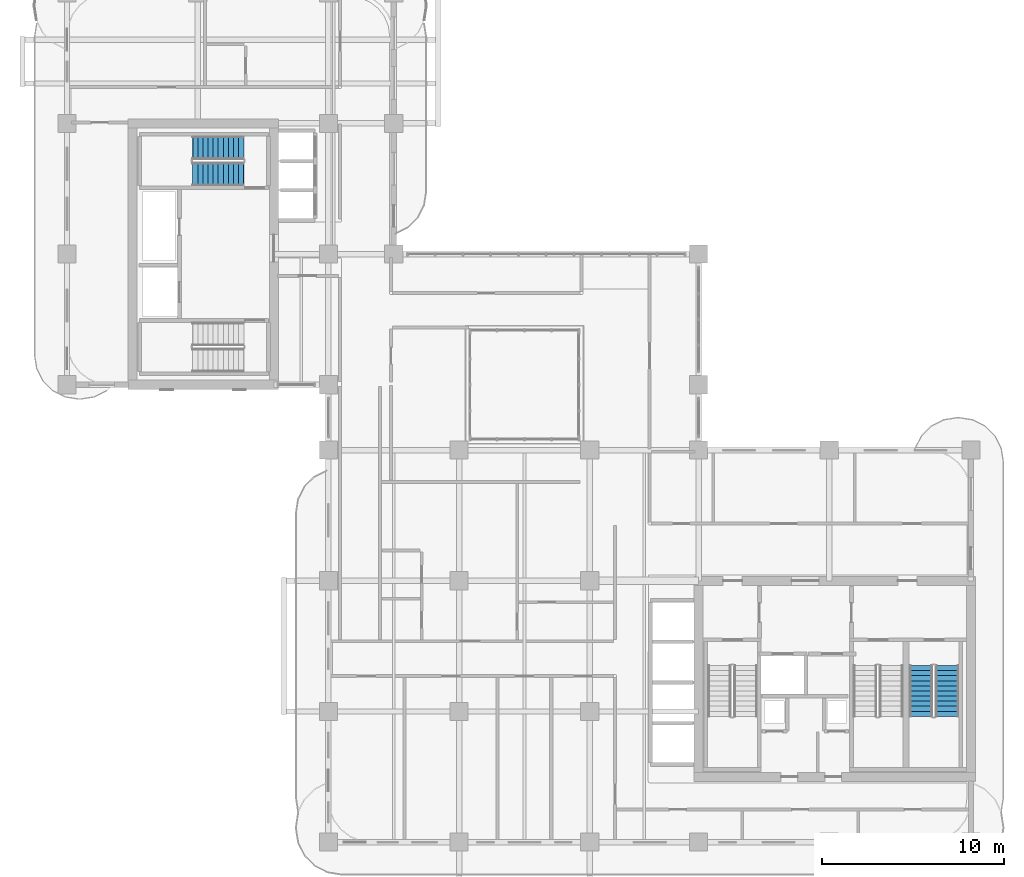
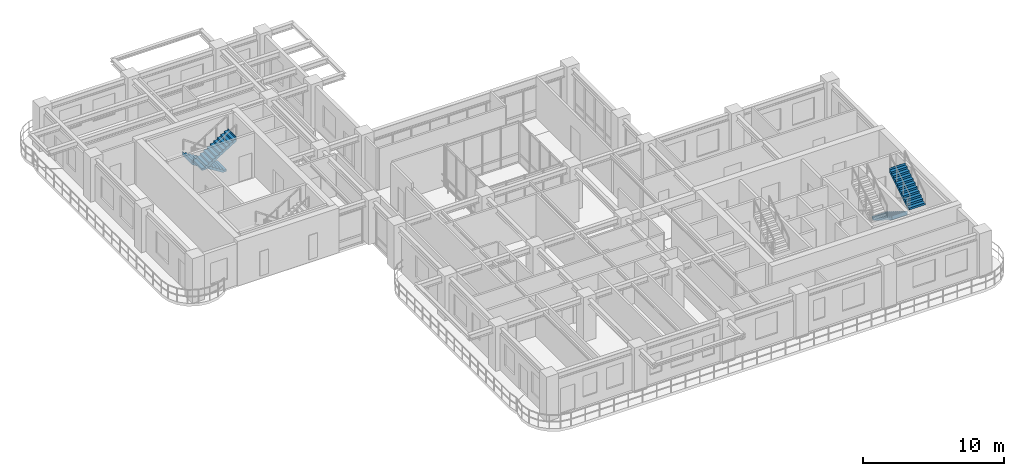
# One storey, part 16 of 21: 4 stair flights, 2 elements without a shape of their own.
"""IFC4 building model written with IfcOpenShell, lengths in metres."""

from ifc_helpers import new_model, si_unit, derived_unit, direction, frame, origin, place, context, subcontext, project, spatial, polyline, outline, extrude, source, transform, mapped, material, layer, layer_set, type_object, element, aggregate, save


model = new_model("IFC4")

# Units and contexts
model_context = context("Model", 3, precision=1e-05, world=origin(), true_north=direction((0.0, 1.0)))
body_context = subcontext(model_context, "Body", "Model", "MODEL_VIEW")
ifc_project = project(units=[si_unit("LENGTHUNIT", "METRE"), si_unit("AREAUNIT", "SQUARE_METRE"), si_unit("VOLUMEUNIT", "CUBIC_METRE"), si_unit("PLANEANGLEUNIT", "RADIAN"), si_unit("MASSUNIT", "GRAM", prefix="KILO"), si_unit("THERMODYNAMICTEMPERATUREUNIT", "KELVIN"), si_unit("POWERUNIT", "WATT"), derived_unit("THERMALTRANSMITTANCEUNIT", [(si_unit("POWERUNIT", "WATT"), 1), (si_unit("AREAUNIT", "SQUARE_METRE"), -1), (si_unit("THERMODYNAMICTEMPERATUREUNIT", "KELVIN"), -1)])], contexts=[model_context])

# Site, building, storey
site_placement = place(None, origin())
site = spatial("IfcSite", under=ifc_project, at=site_placement, CompositionType="ELEMENT")
building_placement = place(site_placement, origin())
building = spatial("IfcBuilding", under=site, at=building_placement, Name="Zahravan Archway Hotel and Residences", CompositionType="ELEMENT")
storey_placement = place(building_placement, frame((0.0, 0.0, 165.699951171875)))
storey = spatial("IfcBuildingStorey", under=building, at=storey_placement, Name="L41", CompositionType="ELEMENT", Elevation=165.699951171875)

# Stair, stair flights
ifc_material = material(Name="Concrete C50/60", Category="concrete")
stair_type = type_object("IfcStairType", Name="STR-CORE-1300", PredefinedType="HALF_TURN_STAIR", material=ifc_material)
stair_1_placement = place(storey_placement, origin())
stair_1 = element("IfcStair", 1, at=stair_1_placement, inside=storey, type_object=stair_type, Name="L41 Core A Exit Stair 3", PredefinedType="HALF_TURN_STAIR")
ifc_layer = layer(ifc_material, 0.199951171875, Name="Concrete C50/60", Category="concrete")
ifc_layer_set = layer_set([ifc_layer], Name="Concrete C50/60")
stair_flight_type = type_object("IfcStairFlightType", Name="SFL-CORE-1300", PredefinedType="STRAIGHT", material=ifc_layer_set)
shared_shape = source(origin(), body_context, "Body", "SweptSolid", [
    extrude(outline(polyline([(-0.01611328125, 0.0), (-0.01611328125, 0.175048828125), (0.280029296875, 0.175048828125), (0.280029296875, 0.35009765625), (0.56005859375, 0.35009765625), (0.56005859375, 0.52490234375), (0.840087890625, 0.52490234375), (0.840087890625, 0.699951171875), (1.1201171875, 0.699951171875), (1.1201171875, 0.875), (1.39990234375, 0.875), (1.39990234375, 1.050048828125), (1.679931640625, 1.050048828125), (1.679931640625, 1.22509765625), (1.9599609375, 1.22509765625), (1.9599609375, 1.39990234375), (2.239990234375, 1.39990234375), (2.239990234375, 1.574951171875), (2.52001953125, 1.574951171875), (2.52001953125, 1.75), (2.800048828125, 1.75), (2.800048828125, 1.925048828125), (2.816162109375, 1.925048828125), (2.816162109375, 1.5732421875), (0.28271484375, 0.0), (-0.01611328125, 0.0)])), frame((0.0, 0.64990234375, 0.0), z_axis=(0.0, -1.0, 0.0), x_axis=(1.0, 0.0, 0.0)), (0.0, 0.0, 1.0), 1.300048828125),
])
stair_flight_1_placement = place(storey_placement, frame((47.050048828125, 9.72998046875, 0.0), z_axis=(0.0, 0.0, 1.0), x_axis=(0.0, -1.0, 0.0)))
stair_flight_1 = element("IfcStairFlight", 2, at=stair_flight_1_placement, type_object=stair_flight_type, Name="ST-A3 flight 1", NumberOfRisers=11, NumberOfTreads=10, PredefinedType="STRAIGHT", RiserHeight=0.175, TreadLength=0.28, context=body_context, shape_type="MappedRepresentation", body=[
    mapped(shared_shape, transform((0.0, 0.0, 0.0), scale=1.0)),
])
stair_flight_2_placement = place(storey_placement, frame((48.489990234375, 6.929931640625, 1.925048828125), z_axis=(0.0, 0.0, 1.0), x_axis=(0.0, 1.0, 0.0)))
stair_flight_2 = element("IfcStairFlight", 3, at=stair_flight_2_placement, type_object=stair_flight_type, Name="ST-A3 flight 2", NumberOfRisers=11, NumberOfTreads=10, PredefinedType="STRAIGHT", RiserHeight=0.175, TreadLength=0.28, context=body_context, shape_type="MappedRepresentation", body=[
    mapped(shared_shape, transform((0.0, 0.0, 0.0), scale=1.0)),
])
aggregate(stair_1, [stair_flight_1, stair_flight_2])

stair_2_placement = place(storey_placement, origin())
stair_2 = element("IfcStair", 4, at=stair_2_placement, inside=storey, type_object=stair_type, Name="L41 Core B Exit Stair 2", PredefinedType="HALF_TURN_STAIR")
stair_flight_3_placement = place(storey_placement, frame((9.72998046875, 38.25, 0.0), z_axis=(0.0, 0.0, 1.0), x_axis=(-1.0, 0.0, 0.0)))
stair_flight_3 = element("IfcStairFlight", 5, at=stair_flight_3_placement, type_object=stair_flight_type, Name="ST-B2 flight 1", NumberOfRisers=11, NumberOfTreads=10, PredefinedType="STRAIGHT", RiserHeight=0.175, TreadLength=0.28, context=body_context, shape_type="MappedRepresentation", body=[
    mapped(shared_shape, transform((0.0, 0.0, 0.0), scale=1.0)),
])
stair_flight_4_placement = place(storey_placement, frame((6.929931640625, 36.81005859375, 1.925048828125), z_axis=(0.0, 0.0, 1.0), x_axis=(1.0, 0.0, 0.0)))
stair_flight_4 = element("IfcStairFlight", 6, at=stair_flight_4_placement, type_object=stair_flight_type, Name="ST-B2 flight 2", NumberOfRisers=11, NumberOfTreads=10, PredefinedType="STRAIGHT", RiserHeight=0.175, TreadLength=0.28, context=body_context, shape_type="MappedRepresentation", body=[
    mapped(shared_shape, transform((0.0, 0.0, 0.0), scale=1.0)),
])
aggregate(stair_2, [stair_flight_3, stair_flight_4])

save(model, "model.ifc")
